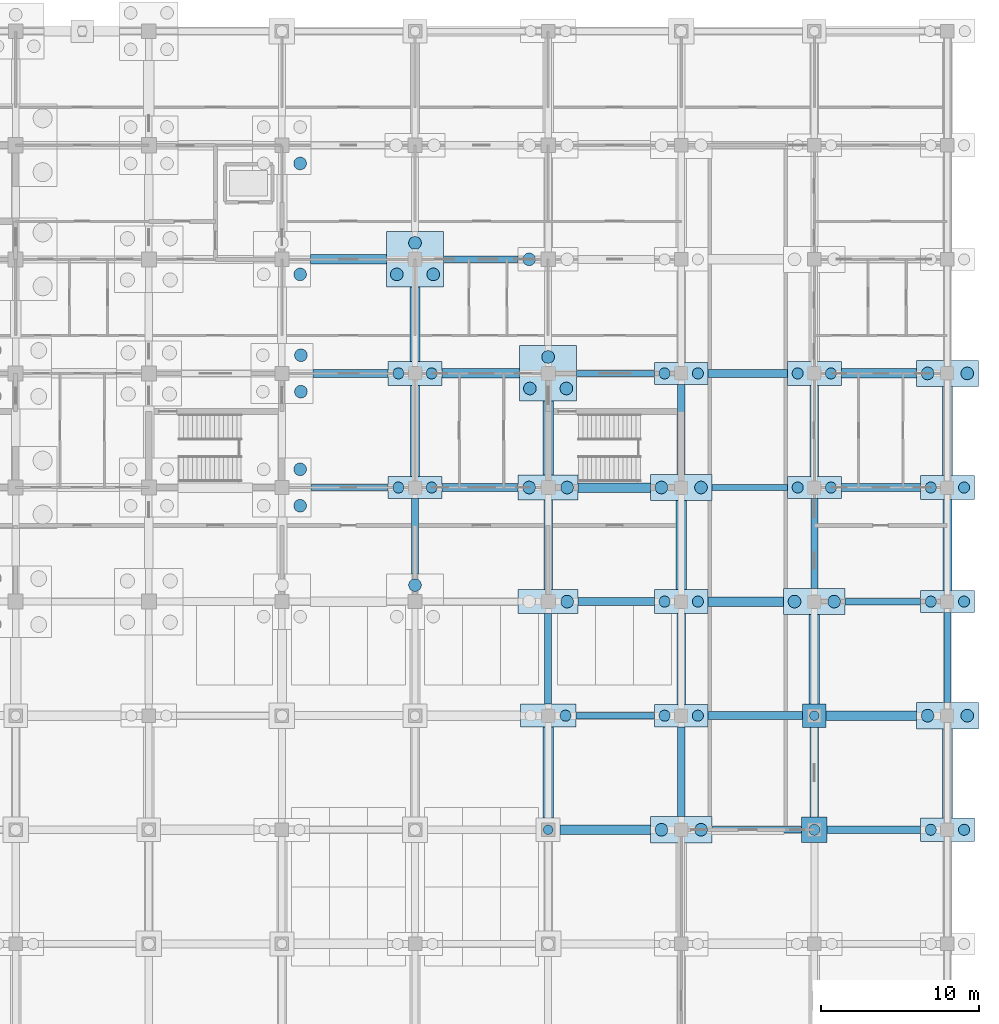
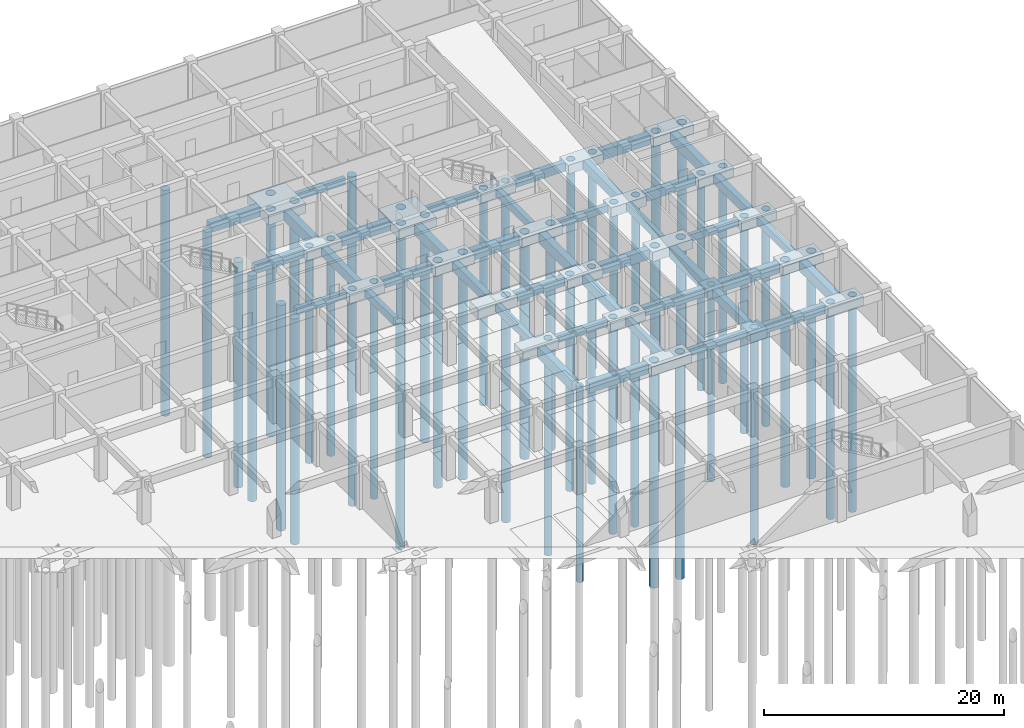
# One storey, part 15 of 85: 62 footings, 51 piles.
"""IFC4 building model written with IfcOpenShell, lengths in metres."""

from ifc_helpers import new_model, si_unit, direction, frame, origin, origin_2d, place, context, subcontext, project, spatial, rectangle, circle, extrude, material, material_profile, profile_set, type_object, element, save


model = new_model("IFC4")

# Units and contexts
model_context = context("Model", 3, precision=1e-05, world=origin(), true_north=direction((0.0, 1.0)))
body_context = subcontext(model_context, "Body", "Model", "MODEL_VIEW")
ifc_project = project(units=[si_unit("LENGTHUNIT", "METRE"), si_unit("AREAUNIT", "SQUARE_METRE"), si_unit("VOLUMEUNIT", "CUBIC_METRE"), si_unit("PLANEANGLEUNIT", "RADIAN"), si_unit("MASSUNIT", "GRAM", prefix="KILO")], contexts=[model_context])

# Site, building, storey
site_placement = place(None, origin())
site = spatial("IfcSite", under=ifc_project, at=site_placement, CompositionType="ELEMENT")
building_placement = place(site_placement, origin())
building = spatial("IfcBuilding", under=site, at=building_placement, Name="Chengyuan Square Courthouse", CompositionType="ELEMENT")
storey_placement = place(building_placement, frame((0.0, 0.0, -10.199951171875)))
storey = spatial("IfcBuildingStorey", under=building, at=storey_placement, Name="B02", CompositionType="ELEMENT", Elevation=-10.199951171875)

# Footings
ifc_material = material(Name="Concrete C40", Category="concrete")
ifc_material_profile_1 = material_profile(ifc_material, rectangle(XDim=0.39990234375, YDim=0.699951171875, at=origin_2d()), Name="GB-400x700")
ifc_profile_set_1 = profile_set([ifc_material_profile_1], Name="Concrete C40")
footing_type_1 = type_object("IfcFootingType", Name="GB-01", PredefinedType="FOOTING_BEAM", material=ifc_profile_set_1)
footing_1_placement = place(storey_placement, frame((153.14990234375, 64.800048828125, -1.150146484375), z_axis=(1.0, 0.0, 0.0), x_axis=(0.0, 1.0, 0.0)))
element("IfcFooting", 1, at=footing_1_placement, inside=storey, type_object=footing_type_1, Name="Ground Tie Beam GB-B02-0199", PredefinedType="FOOTING_BEAM", context=body_context, shape_type="SweptSolid", body=[
    extrude(rectangle(XDim=0.39990234375, YDim=0.699951171875, at=origin_2d()), origin(), (0.0, 0.0, 1.0), 5.650146484375),
])
footing_2_placement = place(storey_placement, frame((144.550048828125, 72.0, -1.150146484375), z_axis=(1.0, 0.0, 0.0), x_axis=(0.0, 1.0, 0.0)))
element("IfcFooting", 2, at=footing_2_placement, inside=storey, type_object=footing_type_1, Name="Ground Tie Beam GB-B02-0218", PredefinedType="FOOTING_BEAM", context=body_context, shape_type="SweptSolid", body=[
    extrude(rectangle(XDim=0.39990234375, YDim=0.699951171875, at=origin_2d()), origin(), (0.0, 0.0, 1.0), 4.949951171875),
])
footing_3_placement = place(storey_placement, frame((161.550048828125, 79.199951171875, -1.150146484375), z_axis=(1.0, 0.0, 0.0), x_axis=(0.0, 1.0, 0.0)))
element("IfcFooting", 3, at=footing_3_placement, inside=storey, type_object=footing_type_1, Name="Ground Tie Beam GB-B02-0240", PredefinedType="FOOTING_BEAM", context=body_context, shape_type="SweptSolid", body=[
    extrude(rectangle(XDim=0.39990234375, YDim=0.699951171875, at=origin_2d()), origin(), (0.0, 0.0, 1.0), 4.75),
])
footing_4_placement = place(storey_placement, frame((127.85009765625, 86.39990234375, -1.150146484375), z_axis=(1.0, 0.0, 0.0), x_axis=(0.0, 1.0, 0.0)))
element("IfcFooting", 4, at=footing_4_placement, inside=storey, type_object=footing_type_1, Name="Ground Tie Beam GB-B02-0256", PredefinedType="FOOTING_BEAM", context=body_context, shape_type="SweptSolid", body=[
    extrude(rectangle(XDim=0.39990234375, YDim=0.699951171875, at=origin_2d()), origin(), (0.0, 0.0, 1.0), 4.849853515625),
])
footing_5_placement = place(storey_placement, frame((153.14990234375, 86.39990234375, -1.150146484375), z_axis=(1.0, 0.0, 0.0), x_axis=(0.0, 1.0, 0.0)))
element("IfcFooting", 5, at=footing_5_placement, inside=storey, type_object=footing_type_1, Name="Ground Tie Beam GB-B02-0259", PredefinedType="FOOTING_BEAM", context=body_context, shape_type="SweptSolid", body=[
    extrude(rectangle(XDim=0.39990234375, YDim=0.699951171875, at=origin_2d()), origin(), (0.0, 0.0, 1.0), 4.75),
])
footing_6_placement = place(storey_placement, frame((144.60009765625, 93.60009765625, -1.150146484375), z_axis=(1.0, 0.0, 0.0), x_axis=(0.0, 1.0, 0.0)))
element("IfcFooting", 6, at=footing_6_placement, inside=storey, type_object=footing_type_1, Name="Ground Tie Beam GB-B02-0278", PredefinedType="FOOTING_BEAM", context=body_context, shape_type="SweptSolid", body=[
    extrude(rectangle(XDim=0.39990234375, YDim=0.699951171875, at=origin_2d()), origin(), (0.0, 0.0, 1.0), 4.89990234375),
])
footing_7_placement = place(storey_placement, frame((136.199951171875, 100.800048828125, -1.150146484375), z_axis=(1.0, 0.0, 0.0), x_axis=(0.0, 1.0, 0.0)))
element("IfcFooting", 7, at=footing_7_placement, inside=storey, type_object=footing_type_1, Name="Ground Tie Beam GB-B02-0297", PredefinedType="FOOTING_BEAM", context=body_context, shape_type="SweptSolid", body=[
    extrude(rectangle(XDim=0.39990234375, YDim=0.699951171875, at=origin_2d()), origin(), (0.0, 0.0, 1.0), 4.699951171875),
])
ifc_material_profile_2 = material_profile(ifc_material, rectangle(XDim=0.449951171875, YDim=0.800048828125, at=origin_2d()), Name="GB-450x800")
ifc_profile_set_2 = profile_set([ifc_material_profile_2], Name="Concrete C40")
footing_type_2 = type_object("IfcFootingType", Name="GB-02", PredefinedType="FOOTING_BEAM", material=ifc_profile_set_2)
footing_8_placement = place(storey_placement, frame((134.39990234375, 80.949951171875, -1.199951171875), z_axis=(0.0, 1.0, 0.0), x_axis=(-1.0, 0.0, 0.0)))
element("IfcFooting", 8, at=footing_8_placement, inside=storey, type_object=footing_type_2, Name="Ground Tie Beam GB-B02-0614", PredefinedType="FOOTING_BEAM", context=body_context, shape_type="SweptSolid", body=[
    extrude(rectangle(XDim=0.449951171875, YDim=0.800048828125, at=origin_2d()), origin(), (0.0, 0.0, 1.0), 4.75),
])
footing_9_placement = place(storey_placement, frame((142.800048828125, 72.72509765625, -1.199951171875), z_axis=(0.0, 1.0, 0.0), x_axis=(-1.0, 0.0, 0.0)))
element("IfcFooting", 9, at=footing_9_placement, inside=storey, type_object=footing_type_2, Name="Ground Tie Beam GB-B02-0629", PredefinedType="FOOTING_BEAM", context=body_context, shape_type="SweptSolid", body=[
    extrude(rectangle(XDim=0.449951171875, YDim=0.800048828125, at=origin_2d()), origin(), (0.0, 0.0, 1.0), 5.724853515625),
])
footing_10_placement = place(storey_placement, frame((151.199951171875, 65.625, -1.199951171875), z_axis=(0.0, 1.0, 0.0), x_axis=(-1.0, 0.0, 0.0)))
element("IfcFooting", 10, at=footing_10_placement, inside=storey, type_object=footing_type_2, Name="Ground Tie Beam GB-B02-0644", PredefinedType="FOOTING_BEAM", context=body_context, shape_type="SweptSolid", body=[
    extrude(rectangle(XDim=0.449951171875, YDim=0.800048828125, at=origin_2d()), origin(), (0.0, 0.0, 1.0), 5.675048828125),
])
footing_11_placement = place(storey_placement, frame((151.199951171875, 87.22509765625, -1.199951171875), z_axis=(0.0, 1.0, 0.0), x_axis=(-1.0, 0.0, 0.0)))
element("IfcFooting", 11, at=footing_11_placement, inside=storey, type_object=footing_type_2, Name="Ground Tie Beam GB-B02-0647", PredefinedType="FOOTING_BEAM", context=body_context, shape_type="SweptSolid", body=[
    extrude(rectangle(XDim=0.449951171875, YDim=0.800048828125, at=origin_2d()), origin(), (0.0, 0.0, 1.0), 5.6748046875),
])
for number, where, z_axis, x_axis, name in (
    (12, (159.60009765625, 80.02490234375, -1.199951171875), (0.0, 1.0, 0.0), (-1.0, 0.0, 0.0), "Ground Tie Beam GB-B02-0662"),
    (13, (168.0, 72.824951171875, -1.199951171875), (0.0, 1.0, 0.0), (-1.0, 0.0, 0.0), "Ground Tie Beam GB-B02-0677"),
):
    element("IfcFooting", number, at=place(storey_placement, frame(where, z_axis=z_axis, x_axis=x_axis)), inside=storey, type_object=footing_type_2, Name=name, PredefinedType="FOOTING_BEAM", context=body_context, shape_type="SweptSolid", body=[
        extrude(rectangle(XDim=0.449951171875, YDim=0.800048828125, at=origin_2d()), origin(), (0.0, 0.0, 1.0), 5.675048828125),
    ])
ifc_material_profile_3 = material_profile(ifc_material, rectangle(XDim=0.5, YDim=0.89990234375, at=origin_2d()), Name="GB-500x900")
ifc_profile_set_3 = profile_set([ifc_material_profile_3], Name="Concrete C40")
footing_type_3 = type_object("IfcFootingType", Name="GB-03", PredefinedType="FOOTING_BEAM", material=ifc_profile_set_3)
footing_12_placement = place(storey_placement, frame((160.39990234375, 64.800048828125, -1.25), z_axis=(1.0, 0.0, 0.0), x_axis=(0.0, 1.0, 0.0)))
element("IfcFooting", 14, at=footing_12_placement, inside=storey, type_object=footing_type_3, Name="Ground Tie Beam GB-B02-0200", PredefinedType="FOOTING_BEAM", context=body_context, shape_type="SweptSolid", body=[
    extrude(rectangle(XDim=0.5, YDim=0.89990234375, at=origin_2d()), origin(), (0.0, 0.0, 1.0), 5.900146484375),
])
footing_13_placement = place(storey_placement, frame((152.89990234375, 72.0, -1.25), z_axis=(1.0, 0.0, 0.0), x_axis=(0.0, 1.0, 0.0)))
element("IfcFooting", 15, at=footing_13_placement, inside=storey, type_object=footing_type_3, Name="Ground Tie Beam GB-B02-0219", PredefinedType="FOOTING_BEAM", context=body_context, shape_type="SweptSolid", body=[
    extrude(rectangle(XDim=0.5, YDim=0.89990234375, at=origin_2d()), origin(), (0.0, 0.0, 1.0), 5.9501953125),
])
footing_14_placement = place(storey_placement, frame((144.699951171875, 79.199951171875, -1.25), z_axis=(1.0, 0.0, 0.0), x_axis=(0.0, 1.0, 0.0)))
element("IfcFooting", 16, at=footing_14_placement, inside=storey, type_object=footing_type_3, Name="Ground Tie Beam GB-B02-0238", PredefinedType="FOOTING_BEAM", context=body_context, shape_type="SweptSolid", body=[
    extrude(rectangle(XDim=0.5, YDim=0.89990234375, at=origin_2d()), origin(), (0.0, 0.0, 1.0), 4.800048828125),
])
footing_15_placement = place(storey_placement, frame((136.10009765625, 86.39990234375, -1.25), z_axis=(1.0, 0.0, 0.0), x_axis=(0.0, 1.0, 0.0)))
element("IfcFooting", 17, at=footing_15_placement, inside=storey, type_object=footing_type_3, Name="Ground Tie Beam GB-B02-0257", PredefinedType="FOOTING_BEAM", context=body_context, shape_type="SweptSolid", body=[
    extrude(rectangle(XDim=0.5, YDim=0.89990234375, at=origin_2d()), origin(), (0.0, 0.0, 1.0), 4.7998046875),
])
footing_16_placement = place(storey_placement, frame((161.300048828125, 86.39990234375, -1.25), z_axis=(1.0, 0.0, 0.0), x_axis=(0.0, 1.0, 0.0)))
element("IfcFooting", 18, at=footing_16_placement, inside=storey, type_object=footing_type_3, Name="Ground Tie Beam GB-B02-0260", PredefinedType="FOOTING_BEAM", context=body_context, shape_type="SweptSolid", body=[
    extrude(rectangle(XDim=0.5, YDim=0.89990234375, at=origin_2d()), origin(), (0.0, 0.0, 1.0), 5.0),
])
footing_17_placement = place(storey_placement, frame((127.949951171875, 93.60009765625, -1.25), z_axis=(1.0, 0.0, 0.0), x_axis=(0.0, 1.0, 0.0)))
element("IfcFooting", 19, at=footing_17_placement, inside=storey, type_object=footing_type_3, Name="Ground Tie Beam GB-B02-0276", PredefinedType="FOOTING_BEAM", context=body_context, shape_type="SweptSolid", body=[
    extrude(rectangle(XDim=0.5, YDim=0.89990234375, at=origin_2d()), origin(), (0.0, 0.0, 1.0), 4.75),
])
footing_18_placement = place(storey_placement, frame((152.89990234375, 93.60009765625, -1.25), z_axis=(1.0, 0.0, 0.0), x_axis=(0.0, 1.0, 0.0)))
element("IfcFooting", 20, at=footing_18_placement, inside=storey, type_object=footing_type_3, Name="Ground Tie Beam GB-B02-0279", PredefinedType="FOOTING_BEAM", context=body_context, shape_type="SweptSolid", body=[
    extrude(rectangle(XDim=0.5, YDim=0.89990234375, at=origin_2d()), origin(), (0.0, 0.0, 1.0), 5.0),
])
ifc_material_profile_4 = material_profile(ifc_material, rectangle(XDim=0.550048828125, YDim=0.949951171875, at=origin_2d()), Name="GB-550x950")
ifc_profile_set_4 = profile_set([ifc_material_profile_4], Name="Concrete C40")
footing_type_4 = type_object("IfcFootingType", Name="GB-04", PredefinedType="FOOTING_BEAM", material=ifc_profile_set_4)
footing_19_placement = place(storey_placement, frame((134.39990234375, 87.10009765625, -1.275146484375), z_axis=(0.0, 1.0, 0.0), x_axis=(-1.0, 0.0, 0.0)))
element("IfcFooting", 21, at=footing_19_placement, inside=storey, type_object=footing_type_4, Name="Ground Tie Beam GB-B02-0615", PredefinedType="FOOTING_BEAM", context=body_context, shape_type="SweptSolid", body=[
    extrude(rectangle(XDim=0.550048828125, YDim=0.949951171875, at=origin_2d()), origin(), (0.0, 0.0, 1.0), 5.75),
])
footing_20_placement = place(storey_placement, frame((142.800048828125, 79.949951171875, -1.275146484375), z_axis=(0.0, 1.0, 0.0), x_axis=(-1.0, 0.0, 0.0)))
element("IfcFooting", 22, at=footing_20_placement, inside=storey, type_object=footing_type_4, Name="Ground Tie Beam GB-B02-0630", PredefinedType="FOOTING_BEAM", context=body_context, shape_type="SweptSolid", body=[
    extrude(rectangle(XDim=0.550048828125, YDim=0.949951171875, at=origin_2d()), origin(), (0.0, 0.0, 1.0), 5.650146484375),
])
footing_21_placement = place(storey_placement, frame((151.199951171875, 72.699951171875, -1.275146484375), z_axis=(0.0, 1.0, 0.0), x_axis=(-1.0, 0.0, 0.0)))
element("IfcFooting", 23, at=footing_21_placement, inside=storey, type_object=footing_type_4, Name="Ground Tie Beam GB-B02-0645", PredefinedType="FOOTING_BEAM", context=body_context, shape_type="SweptSolid", body=[
    extrude(rectangle(XDim=0.550048828125, YDim=0.949951171875, at=origin_2d()), origin(), (0.0, 0.0, 1.0), 5.75),
])
footing_22_placement = place(storey_placement, frame((159.60009765625, 65.60009765625, -1.275146484375), z_axis=(0.0, 1.0, 0.0), x_axis=(-1.0, 0.0, 0.0)))
element("IfcFooting", 24, at=footing_22_placement, inside=storey, type_object=footing_type_4, Name="Ground Tie Beam GB-B02-0660", PredefinedType="FOOTING_BEAM", context=body_context, shape_type="SweptSolid", body=[
    extrude(rectangle(XDim=0.550048828125, YDim=0.949951171875, at=origin_2d()), origin(), (0.0, 0.0, 1.0), 5.64990234375),
])
for number, where, z_axis, x_axis, name in (
    (25, (159.60009765625, 87.10009765625, -1.275146484375), (0.0, 1.0, 0.0), (-1.0, 0.0, 0.0), "Ground Tie Beam GB-B02-0663"),
    (26, (168.0, 79.89990234375, -1.275146484375), (0.0, 1.0, 0.0), (-1.0, 0.0, 0.0), "Ground Tie Beam GB-B02-0678"),
):
    element("IfcFooting", number, at=place(storey_placement, frame(where, z_axis=z_axis, x_axis=x_axis)), inside=storey, type_object=footing_type_4, Name=name, PredefinedType="FOOTING_BEAM", context=body_context, shape_type="SweptSolid", body=[
        extrude(rectangle(XDim=0.550048828125, YDim=0.949951171875, at=origin_2d()), origin(), (0.0, 0.0, 1.0), 5.75),
    ])
ifc_material_profile_5 = material_profile(ifc_material, rectangle(XDim=0.60009765625, YDim=1.0, at=origin_2d()), Name="GB-600x1000")
ifc_profile_set_5 = profile_set([ifc_material_profile_5], Name="Concrete C40")
footing_type_5 = type_object("IfcFootingType", Name="GB-05", PredefinedType="FOOTING_BEAM", material=ifc_profile_set_5)
for number, where, z_axis, x_axis, name in (
    (27, (143.550048828125, 64.800048828125, -1.300048828125), (1.0, 0.0, 0.0), (0.0, 1.0, 0.0), "Ground Tie Beam GB-B02-0198"),
    (28, (160.35009765625, 72.0, -1.300048828125), (1.0, 0.0, 0.0), (0.0, 1.0, 0.0), "Ground Tie Beam GB-B02-0220"),
):
    element("IfcFooting", number, at=place(storey_placement, frame(where, z_axis=z_axis, x_axis=x_axis)), inside=storey, type_object=footing_type_5, Name=name, PredefinedType="FOOTING_BEAM", context=body_context, shape_type="SweptSolid", body=[
        extrude(rectangle(XDim=0.60009765625, YDim=1.0, at=origin_2d()), origin(), (0.0, 0.0, 1.0), 5.699951171875),
    ])
footing_23_placement = place(storey_placement, frame((152.89990234375, 79.199951171875, -1.300048828125), z_axis=(1.0, 0.0, 0.0), x_axis=(0.0, 1.0, 0.0)))
element("IfcFooting", 29, at=footing_23_placement, inside=storey, type_object=footing_type_5, Name="Ground Tie Beam GB-B02-0239", PredefinedType="FOOTING_BEAM", context=body_context, shape_type="SweptSolid", body=[
    extrude(rectangle(XDim=0.60009765625, YDim=1.0, at=origin_2d()), origin(), (0.0, 0.0, 1.0), 4.75),
])
footing_24_placement = place(storey_placement, frame((144.699951171875, 86.39990234375, -1.300048828125), z_axis=(1.0, 0.0, 0.0), x_axis=(0.0, 1.0, 0.0)))
element("IfcFooting", 30, at=footing_24_placement, inside=storey, type_object=footing_type_5, Name="Ground Tie Beam GB-B02-0258", PredefinedType="FOOTING_BEAM", context=body_context, shape_type="SweptSolid", body=[
    extrude(rectangle(XDim=0.60009765625, YDim=1.0, at=origin_2d()), origin(), (0.0, 0.0, 1.0), 4.550048828125),
])
footing_25_placement = place(storey_placement, frame((136.10009765625, 93.60009765625, -1.300048828125), z_axis=(1.0, 0.0, 0.0), x_axis=(0.0, 1.0, 0.0)))
element("IfcFooting", 31, at=footing_25_placement, inside=storey, type_object=footing_type_5, Name="Ground Tie Beam GB-B02-0277", PredefinedType="FOOTING_BEAM", context=body_context, shape_type="SweptSolid", body=[
    extrude(rectangle(XDim=0.60009765625, YDim=1.0, at=origin_2d()), origin(), (0.0, 0.0, 1.0), 4.89990234375),
])
footing_26_placement = place(storey_placement, frame((161.300048828125, 93.60009765625, -1.300048828125), z_axis=(1.0, 0.0, 0.0), x_axis=(0.0, 1.0, 0.0)))
element("IfcFooting", 32, at=footing_26_placement, inside=storey, type_object=footing_type_5, Name="Ground Tie Beam GB-B02-0280", PredefinedType="FOOTING_BEAM", context=body_context, shape_type="SweptSolid", body=[
    extrude(rectangle(XDim=0.60009765625, YDim=1.0, at=origin_2d()), origin(), (0.0, 0.0, 1.0), 4.75),
])
footing_27_placement = place(storey_placement, frame((127.800048828125, 100.800048828125, -1.300048828125), z_axis=(1.0, 0.0, 0.0), x_axis=(0.0, 1.0, 0.0)))
element("IfcFooting", 33, at=footing_27_placement, inside=storey, type_object=footing_type_5, Name="Ground Tie Beam GB-B02-0296", PredefinedType="FOOTING_BEAM", context=body_context, shape_type="SweptSolid", body=[
    extrude(rectangle(XDim=0.60009765625, YDim=1.0, at=origin_2d()), origin(), (0.0, 0.0, 1.0), 4.800048828125),
])
ifc_material_profile_6 = material_profile(ifc_material, rectangle(XDim=0.64990234375, YDim=1.10009765625, at=origin_2d()), Name="GB-650x1100")
ifc_profile_set_6 = profile_set([ifc_material_profile_6], Name="Concrete C40")
footing_type_6 = type_object("IfcFootingType", Name="GB-06", PredefinedType="FOOTING_BEAM", material=ifc_profile_set_6)
footing_28_placement = place(storey_placement, frame((134.39990234375, 94.35009765625, -1.35009765625), z_axis=(0.0, 1.0, 0.0), x_axis=(-1.0, 0.0, 0.0)))
element("IfcFooting", 34, at=footing_28_placement, inside=storey, type_object=footing_type_6, Name="Ground Tie Beam GB-B02-0616", PredefinedType="FOOTING_BEAM", context=body_context, shape_type="SweptSolid", body=[
    extrude(rectangle(XDim=0.64990234375, YDim=1.10009765625, at=origin_2d()), origin(), (0.0, 0.0, 1.0), 4.699951171875),
])
footing_29_placement = place(storey_placement, frame((142.800048828125, 65.550048828125, -1.35009765625), z_axis=(0.0, 1.0, 0.0), x_axis=(-1.0, 0.0, 0.0)))
element("IfcFooting", 35, at=footing_29_placement, inside=storey, type_object=footing_type_6, Name="Ground Tie Beam GB-B02-0628", PredefinedType="FOOTING_BEAM", context=body_context, shape_type="SweptSolid", body=[
    extrude(rectangle(XDim=0.64990234375, YDim=1.10009765625, at=origin_2d()), origin(), (0.0, 0.0, 1.0), 5.724853515625),
])
footing_30_placement = place(storey_placement, frame((142.800048828125, 87.199951171875, -1.35009765625), z_axis=(0.0, 1.0, 0.0), x_axis=(-1.0, 0.0, 0.0)))
element("IfcFooting", 36, at=footing_30_placement, inside=storey, type_object=footing_type_6, Name="Ground Tie Beam GB-B02-0631", PredefinedType="FOOTING_BEAM", context=body_context, shape_type="SweptSolid", body=[
    extrude(rectangle(XDim=0.64990234375, YDim=1.10009765625, at=origin_2d()), origin(), (0.0, 0.0, 1.0), 4.650146484375),
])
for number, where, z_axis, x_axis, name in (
    (37, (151.199951171875, 79.949951171875, -1.35009765625), (0.0, 1.0, 0.0), (-1.0, 0.0, 0.0), "Ground Tie Beam GB-B02-0646"),
    (38, (159.60009765625, 72.75, -1.35009765625), (0.0, 1.0, 0.0), (-1.0, 0.0, 0.0), "Ground Tie Beam GB-B02-0661"),
    (39, (168.0, 65.550048828125, -1.35009765625), (0.0, 1.0, 0.0), (-1.0, 0.0, 0.0), "Ground Tie Beam GB-B02-0676"),
    (40, (168.0, 87.14990234375, -1.35009765625), (0.0, 1.0, 0.0), (-1.0, 0.0, 0.0), "Ground Tie Beam GB-B02-0679"),
):
    element("IfcFooting", number, at=place(storey_placement, frame(where, z_axis=z_axis, x_axis=x_axis)), inside=storey, type_object=footing_type_6, Name=name, PredefinedType="FOOTING_BEAM", context=body_context, shape_type="SweptSolid", body=[
        extrude(rectangle(XDim=0.64990234375, YDim=1.10009765625, at=origin_2d()), origin(), (0.0, 0.0, 1.0), 5.625),
    ])
footing_type_7 = type_object("IfcFootingType", Name="PC-13", PredefinedType="PILE_CAP", material=ifc_material)
for number, where, z_axis, x_axis, name in (
    (41, (134.39990234375, 100.800048828125, -1.800048828125), (0.0, 0.0, 1.0), (1.0, 0.0, 0.0), "Pile Cap PC-B02-287"),
    (42, (142.800048828125, 93.60009765625, -1.800048828125), (0.0, 0.0, 1.0), (1.0, 0.0, 0.0), "Pile Cap PC-B02-303"),
):
    element("IfcFooting", number, at=place(storey_placement, frame(where, z_axis=z_axis, x_axis=x_axis)), inside=storey, type_object=footing_type_7, Name=name, PredefinedType="PILE_CAP", context=body_context, shape_type="SweptSolid", body=[
        extrude(rectangle(XDim=3.60009765625, YDim=3.5, at=origin_2d()), origin(), (0.0, 0.0, 1.0), 1.0),
    ])
footing_type_8 = type_object("IfcFootingType", Name="PC-14", PredefinedType="PILE_CAP", material=ifc_material)
footing_31_placement = place(storey_placement, frame((142.800048828125, 79.199951171875, -1.85009765625), z_axis=(0.0, 0.0, 1.0), x_axis=(1.0, 0.0, 0.0)))
element("IfcFooting", 43, at=footing_31_placement, inside=storey, type_object=footing_type_8, Name="Pile Cap PC-B02-301", PredefinedType="PILE_CAP", context=body_context, shape_type="SweptSolid", body=[
    extrude(rectangle(XDim=3.800048828125, YDim=1.5, at=origin_2d()), origin(), (0.0, 0.0, 1.0), 1.050048828125),
])
footing_type_9 = type_object("IfcFootingType", Name="PC-15", PredefinedType="PILE_CAP", material=ifc_material)
footing_32_placement = place(storey_placement, frame((142.800048828125, 86.39990234375, -1.800048828125), z_axis=(0.0, 0.0, 1.0), x_axis=(1.0, 0.0, 0.0)))
element("IfcFooting", 44, at=footing_32_placement, inside=storey, type_object=footing_type_9, Name="Pile Cap PC-B02-302", PredefinedType="PILE_CAP", context=body_context, shape_type="SweptSolid", body=[
    extrude(rectangle(XDim=3.800048828125, YDim=1.60009765625, at=origin_2d()), origin(), (0.0, 0.0, 1.0), 1.0),
])
footing_type_10 = type_object("IfcFootingType", Name="PC-16", PredefinedType="PILE_CAP", material=ifc_material)
for number, where, z_axis, x_axis, name in (
    (45, (151.199951171875, 64.800048828125, -1.75), (0.0, 0.0, 1.0), (1.0, 0.0, 0.0), "Pile Cap PC-B02-316"),
    (46, (151.199951171875, 86.39990234375, -1.75), (0.0, 0.0, 1.0), (1.0, 0.0, 0.0), "Pile Cap PC-B02-319"),
    (47, (159.60009765625, 79.199951171875, -1.75), (0.0, 0.0, 1.0), (1.0, 0.0, 0.0), "Pile Cap PC-B02-335"),
    (48, (168.0, 72.0, -1.75), (0.0, 0.0, 1.0), (1.0, 0.0, 0.0), "Pile Cap PC-B02-351"),
    (49, (168.0, 93.60009765625, -1.75), (0.0, 0.0, 1.0), (1.0, 0.0, 0.0), "Pile Cap PC-B02-354"),
):
    element("IfcFooting", number, at=place(storey_placement, frame(where, z_axis=z_axis, x_axis=x_axis)), inside=storey, type_object=footing_type_10, Name=name, PredefinedType="PILE_CAP", context=body_context, shape_type="SweptSolid", body=[
        extrude(rectangle(XDim=3.89990234375, YDim=1.64990234375, at=origin_2d()), origin(), (0.0, 0.0, 1.0), 0.949951171875),
    ])
footing_type_11 = type_object("IfcFootingType", Name="PC-17", PredefinedType="PILE_CAP", material=ifc_material)
for number, where, z_axis, x_axis, name in (
    (50, (134.39990234375, 86.39990234375, -1.75), (0.0, 0.0, 1.0), (1.0, 0.0, 0.0), "Pile Cap PC-B02-285"),
    (51, (151.199951171875, 72.0, -1.75), (0.0, 0.0, 1.0), (1.0, 0.0, 0.0), "Pile Cap PC-B02-317"),
    (52, (151.199951171875, 93.60009765625, -1.75), (0.0, 0.0, 1.0), (1.0, 0.0, 0.0), "Pile Cap PC-B02-320"),
    (53, (159.60009765625, 86.39990234375, -1.75), (0.0, 0.0, 1.0), (1.0, 0.0, 0.0), "Pile Cap PC-B02-336"),
    (54, (168.0, 79.199951171875, -1.75), (0.0, 0.0, 1.0), (1.0, 0.0, 0.0), "Pile Cap PC-B02-352"),
):
    element("IfcFooting", number, at=place(storey_placement, frame(where, z_axis=z_axis, x_axis=x_axis)), inside=storey, type_object=footing_type_11, Name=name, PredefinedType="PILE_CAP", context=body_context, shape_type="SweptSolid", body=[
        extrude(rectangle(XDim=3.39990234375, YDim=1.39990234375, at=origin_2d()), origin(), (0.0, 0.0, 1.0), 0.949951171875),
    ])
footing_type_12 = type_object("IfcFootingType", Name="PC-18", PredefinedType="PILE_CAP", material=ifc_material)
for number, where, z_axis, x_axis, name in (
    (55, (134.39990234375, 93.60009765625, -1.699951171875), (0.0, 0.0, 1.0), (1.0, 0.0, 0.0), "Pile Cap PC-B02-286"),
    (56, (151.199951171875, 79.199951171875, -1.699951171875), (0.0, 0.0, 1.0), (1.0, 0.0, 0.0), "Pile Cap PC-B02-318"),
    (57, (159.60009765625, 93.60009765625, -1.699951171875), (0.0, 0.0, 1.0), (1.0, 0.0, 0.0), "Pile Cap PC-B02-337"),
    (58, (168.0, 64.800048828125, -1.699951171875), (0.0, 0.0, 1.0), (1.0, 0.0, 0.0), "Pile Cap PC-B02-350"),
    (59, (168.0, 86.39990234375, -1.699951171875), (0.0, 0.0, 1.0), (1.0, 0.0, 0.0), "Pile Cap PC-B02-353"),
):
    element("IfcFooting", number, at=place(storey_placement, frame(where, z_axis=z_axis, x_axis=x_axis)), inside=storey, type_object=footing_type_12, Name=name, PredefinedType="PILE_CAP", context=body_context, shape_type="SweptSolid", body=[
        extrude(rectangle(XDim=3.39990234375, YDim=1.5, at=origin_2d()), origin(), (0.0, 0.0, 1.0), 0.89990234375),
    ])
footing_type_13 = type_object("IfcFootingType", Name="PC-19", PredefinedType="PILE_CAP", material=ifc_material)
footing_33_placement = place(storey_placement, frame((142.800048828125, 72.0, -1.650146484375), z_axis=(0.0, 0.0, 1.0), x_axis=(1.0, 0.0, 0.0)))
element("IfcFooting", 60, at=footing_33_placement, inside=storey, type_object=footing_type_13, Name="Pile Cap PC-B02-300", PredefinedType="PILE_CAP", context=body_context, shape_type="SweptSolid", body=[
    extrude(rectangle(XDim=3.5, YDim=1.449951171875, at=origin_2d()), origin(), (0.0, 0.0, 1.0), 0.85009765625),
])
footing_type_14 = type_object("IfcFootingType", Name="PC-20", PredefinedType="PILE_CAP", material=ifc_material)
footing_34_placement = place(storey_placement, frame((159.60009765625, 64.800048828125, -1.699951171875), z_axis=(0.0, 0.0, 1.0), x_axis=(1.0, 0.0, 0.0)))
element("IfcFooting", 61, at=footing_34_placement, inside=storey, type_object=footing_type_14, Name="Pile Cap PC-B02-333", PredefinedType="PILE_CAP", context=body_context, shape_type="SweptSolid", body=[
    extrude(rectangle(XDim=1.60009765625, YDim=1.60009765625, at=origin_2d()), origin(), (0.0, 0.0, 1.0), 0.89990234375),
])
footing_type_15 = type_object("IfcFootingType", Name="PC-21", PredefinedType="PILE_CAP", material=ifc_material)
footing_35_placement = place(storey_placement, frame((159.60009765625, 72.0, -1.650146484375), z_axis=(0.0, 0.0, 1.0), x_axis=(1.0, 0.0, 0.0)))
element("IfcFooting", 62, at=footing_35_placement, inside=storey, type_object=footing_type_15, Name="Pile Cap PC-B02-334", PredefinedType="PILE_CAP", context=body_context, shape_type="SweptSolid", body=[
    extrude(rectangle(XDim=1.5, YDim=1.5, at=origin_2d()), origin(), (0.0, 0.0, 1.0), 0.85009765625),
])

# Piles
ifc_material_profile_7 = material_profile(ifc_material, circle(Radius=0.300048828125, at=origin_2d()), Name="BORED PILE D600")
ifc_profile_set_7 = profile_set([ifc_material_profile_7], Name="Concrete C40")
pile_type_1 = type_object("IfcPileType", Name="PL-01", PredefinedType="BORED", material=ifc_profile_set_7)
for number, where, z_axis, x_axis, name in (
    (63, (142.800048828125, 64.800048828125, -0.800048828125), (0.0, 0.0, -1.0), (1.0, 0.0, 0.0), "Bored Pile PL-B02-0599"),
    (64, (159.60009765625, 72.0, -0.800048828125), (0.0, 0.0, -1.0), (1.0, 0.0, 0.0), "Bored Pile PL-B02-0658"),
):
    element("IfcPile", number, at=place(storey_placement, frame(where, z_axis=z_axis, x_axis=x_axis)), inside=storey, type_object=pile_type_1, Name=name, PredefinedType="BORED", context=body_context, shape_type="SweptSolid", body=[
        extrude(circle(Radius=0.300048828125, at=origin_2d()), origin(), (0.0, 0.0, 1.0), 20.0),
    ])
ifc_material_profile_8 = material_profile(ifc_material, circle(Radius=0.35009765625, at=origin_2d()), Name="BORED PILE D700")
ifc_profile_set_8 = profile_set([ifc_material_profile_8], Name="Concrete C40")
pile_type_2 = type_object("IfcPileType", Name="PL-02", PredefinedType="BORED", material=ifc_profile_set_8)
for number, where, z_axis, x_axis, name in (
    (65, (133.35009765625, 86.39990234375, -0.800048828125), (0.0, 0.0, -1.0), (1.0, 0.0, 0.0), "Bored Pile PL-B02-0577"),
    (66, (135.449951171875, 86.39990234375, -0.800048828125), (0.0, 0.0, -1.0), (1.0, 0.0, 0.0), "Bored Pile PL-B02-0578"),
    (67, (133.35009765625, 93.60009765625, -0.800048828125), (0.0, 0.0, -1.0), (1.0, 0.0, 0.0), "Bored Pile PL-B02-0579"),
    (68, (135.449951171875, 93.60009765625, -0.800048828125), (0.0, 0.0, -1.0), (1.0, 0.0, 0.0), "Bored Pile PL-B02-0580"),
    (69, (143.89990234375, 72.0, -0.800048828125), (0.0, 0.0, -1.0), (1.0, 0.0, 0.0), "Bored Pile PL-B02-0601"),
    (70, (150.14990234375, 72.0, -0.800048828125), (0.0, 0.0, -1.0), (1.0, 0.0, 0.0), "Bored Pile PL-B02-0632"),
    (71, (152.25, 72.0, -0.800048828125), (0.0, 0.0, -1.0), (1.0, 0.0, 0.0), "Bored Pile PL-B02-0633"),
    (72, (150.14990234375, 79.199951171875, -0.800048828125), (0.0, 0.0, -1.0), (1.0, 0.0, 0.0), "Bored Pile PL-B02-0634"),
    (73, (152.25, 79.199951171875, -0.800048828125), (0.0, 0.0, -1.0), (1.0, 0.0, 0.0), "Bored Pile PL-B02-0635"),
    (74, (150.14990234375, 93.60009765625, -0.800048828125), (0.0, 0.0, -1.0), (1.0, 0.0, 0.0), "Bored Pile PL-B02-0638"),
    (75, (152.25, 93.60009765625, -0.800048828125), (0.0, 0.0, -1.0), (1.0, 0.0, 0.0), "Bored Pile PL-B02-0639"),
    (76, (159.60009765625, 64.800048828125, -0.800048828125), (0.0, 0.0, -1.0), (1.0, 0.0, 0.0), "Bored Pile PL-B02-0657"),
    (77, (158.550048828125, 86.39990234375, -0.800048828125), (0.0, 0.0, -1.0), (1.0, 0.0, 0.0), "Bored Pile PL-B02-0661"),
    (78, (160.64990234375, 86.39990234375, -0.800048828125), (0.0, 0.0, -1.0), (1.0, 0.0, 0.0), "Bored Pile PL-B02-0662"),
    (79, (158.550048828125, 93.60009765625, -0.800048828125), (0.0, 0.0, -1.0), (1.0, 0.0, 0.0), "Bored Pile PL-B02-0663"),
    (80, (160.64990234375, 93.60009765625, -0.800048828125), (0.0, 0.0, -1.0), (1.0, 0.0, 0.0), "Bored Pile PL-B02-0664"),
    (81, (166.949951171875, 64.800048828125, -0.800048828125), (0.0, 0.0, -1.0), (1.0, 0.0, 0.0), "Bored Pile PL-B02-0685"),
    (82, (169.050048828125, 64.800048828125, -0.800048828125), (0.0, 0.0, -1.0), (1.0, 0.0, 0.0), "Bored Pile PL-B02-0686"),
    (83, (166.949951171875, 79.199951171875, -0.800048828125), (0.0, 0.0, -1.0), (1.0, 0.0, 0.0), "Bored Pile PL-B02-0689"),
    (84, (169.050048828125, 79.199951171875, -0.800048828125), (0.0, 0.0, -1.0), (1.0, 0.0, 0.0), "Bored Pile PL-B02-0690"),
    (85, (166.949951171875, 86.39990234375, -0.800048828125), (0.0, 0.0, -1.0), (1.0, 0.0, 0.0), "Bored Pile PL-B02-0691"),
    (86, (169.050048828125, 86.39990234375, -0.800048828125), (0.0, 0.0, -1.0), (1.0, 0.0, 0.0), "Bored Pile PL-B02-0692"),
):
    element("IfcPile", number, at=place(storey_placement, frame(where, z_axis=z_axis, x_axis=x_axis)), inside=storey, type_object=pile_type_2, Name=name, PredefinedType="BORED", context=body_context, shape_type="SweptSolid", body=[
        extrude(circle(Radius=0.35009765625, at=origin_2d()), origin(), (0.0, 0.0, 1.0), 22.0),
    ])
ifc_material_profile_9 = material_profile(ifc_material, circle(Radius=0.39990234375, at=origin_2d()), Name="BORED PILE D800")
ifc_profile_set_9 = profile_set([ifc_material_profile_9], Name="Concrete C40")
pile_type_3 = type_object("IfcPileType", Name="PL-03", PredefinedType="BORED", material=ifc_profile_set_9)
for number, where, z_axis, x_axis, name in (
    (87, (127.14990234375, 85.25, -0.800048828125), (0.0, 0.0, -1.0), (1.0, 0.0, 0.0), "Bored Pile PL-B02-0545"),
    (88, (127.14990234375, 87.550048828125, -0.800048828125), (0.0, 0.0, -1.0), (1.0, 0.0, 0.0), "Bored Pile PL-B02-0547"),
    (89, (127.199951171875, 92.449951171875, -0.800048828125), (0.0, 0.0, -1.0), (1.0, 0.0, 0.0), "Bored Pile PL-B02-0549"),
    (90, (127.199951171875, 94.75, -0.800048828125), (0.0, 0.0, -1.0), (1.0, 0.0, 0.0), "Bored Pile PL-B02-0551"),
    (91, (127.14990234375, 99.85009765625, -0.800048828125), (0.0, 0.0, -1.0), (1.0, 0.0, 0.0), "Bored Pile PL-B02-0553"),
    (92, (127.14990234375, 106.85009765625, -0.800048828125), (0.0, 0.0, -1.0), (1.0, 0.0, 0.0), "Bored Pile PL-B02-0556"),
    (93, (134.39990234375, 80.239990234375, -0.800048828125), (0.0, 0.0, -1.0), (1.0, 0.0, 0.0), "Bored Pile PL-B02-0576"),
    (94, (133.25, 99.85009765625, -0.800048828125), (0.0, 0.0, -1.0), (1.0, 0.0, 0.0), "Bored Pile PL-B02-0581"),
    (95, (135.550048828125, 99.85009765625, -0.800048828125), (0.0, 0.0, -1.0), (1.0, 0.0, 0.0), "Bored Pile PL-B02-0582"),
    (96, (134.39990234375, 101.840087890625, -0.800048828125), (0.0, 0.0, -1.0), (1.0, 0.0, 0.0), "Bored Pile PL-B02-0583"),
    (97, (144.0, 79.199951171875, -0.800048828125), (0.0, 0.0, -1.0), (1.0, 0.0, 0.0), "Bored Pile PL-B02-0603"),
    (98, (141.60009765625, 86.39990234375, -0.800048828125), (0.0, 0.0, -1.0), (1.0, 0.0, 0.0), "Bored Pile PL-B02-0604"),
    (99, (144.0, 86.39990234375, -0.800048828125), (0.0, 0.0, -1.0), (1.0, 0.0, 0.0), "Bored Pile PL-B02-0605"),
    (100, (141.64990234375, 92.64990234375, -0.800048828125), (0.0, 0.0, -1.0), (1.0, 0.0, 0.0), "Bored Pile PL-B02-0606"),
    (101, (143.949951171875, 92.64990234375, -0.800048828125), (0.0, 0.0, -1.0), (1.0, 0.0, 0.0), "Bored Pile PL-B02-0607"),
    (102, (142.800048828125, 94.639892578125, -0.800048828125), (0.0, 0.0, -1.0), (1.0, 0.0, 0.0), "Bored Pile PL-B02-0608"),
    (103, (141.60009765625, 100.800048828125, -0.800048828125), (0.0, 0.0, -1.0), (1.0, 0.0, 0.0), "Bored Pile PL-B02-0609"),
    (104, (149.949951171875, 64.800048828125, -0.800048828125), (0.0, 0.0, -1.0), (1.0, 0.0, 0.0), "Bored Pile PL-B02-0630"),
    (105, (152.449951171875, 64.800048828125, -0.800048828125), (0.0, 0.0, -1.0), (1.0, 0.0, 0.0), "Bored Pile PL-B02-0631"),
    (106, (149.949951171875, 86.39990234375, -0.800048828125), (0.0, 0.0, -1.0), (1.0, 0.0, 0.0), "Bored Pile PL-B02-0636"),
    (107, (152.449951171875, 86.39990234375, -0.800048828125), (0.0, 0.0, -1.0), (1.0, 0.0, 0.0), "Bored Pile PL-B02-0637"),
    (108, (158.35009765625, 79.199951171875, -0.800048828125), (0.0, 0.0, -1.0), (1.0, 0.0, 0.0), "Bored Pile PL-B02-0659"),
    (109, (160.85009765625, 79.199951171875, -0.800048828125), (0.0, 0.0, -1.0), (1.0, 0.0, 0.0), "Bored Pile PL-B02-0660"),
    (110, (166.75, 72.0, -0.800048828125), (0.0, 0.0, -1.0), (1.0, 0.0, 0.0), "Bored Pile PL-B02-0687"),
    (111, (169.25, 72.0, -0.800048828125), (0.0, 0.0, -1.0), (1.0, 0.0, 0.0), "Bored Pile PL-B02-0688"),
    (112, (166.75, 93.60009765625, -0.800048828125), (0.0, 0.0, -1.0), (1.0, 0.0, 0.0), "Bored Pile PL-B02-0693"),
    (113, (169.25, 93.60009765625, -0.800048828125), (0.0, 0.0, -1.0), (1.0, 0.0, 0.0), "Bored Pile PL-B02-0694"),
):
    element("IfcPile", number, at=place(storey_placement, frame(where, z_axis=z_axis, x_axis=x_axis)), inside=storey, type_object=pile_type_3, Name=name, PredefinedType="BORED", context=body_context, shape_type="SweptSolid", body=[
        extrude(circle(Radius=0.39990234375, at=origin_2d()), origin(), (0.0, 0.0, 1.0), 23.0),
    ])

save(model, "model.ifc")
